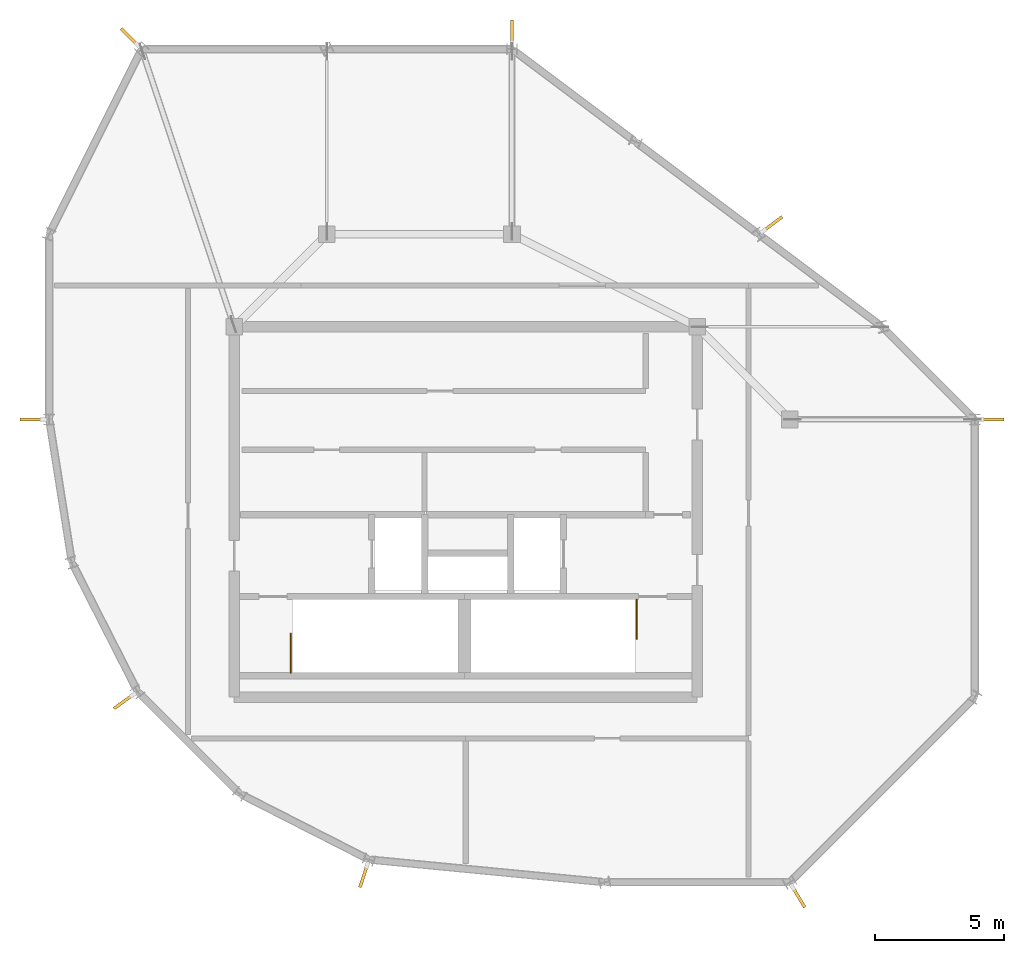
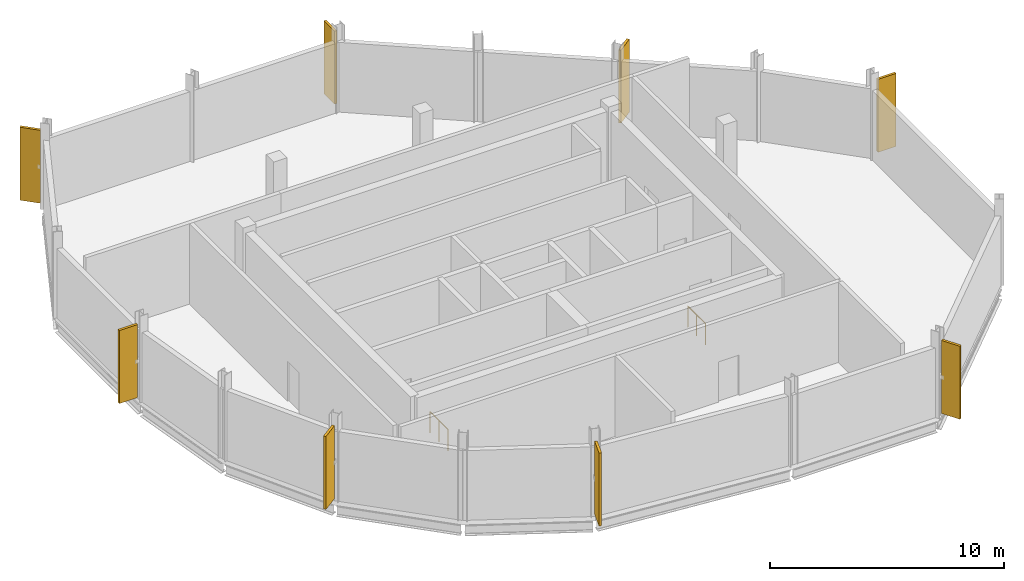
# One storey, part 4 of 4: 8 shading devices, 2 railings.
"""IFC4 building model written with IfcOpenShell, lengths in metres."""

from ifc_helpers import new_model, si_unit, direction, frame, origin, origin_2d, place, context, subcontext, project, spatial, rectangle, circle, extrude, material, type_object, element, save


model = new_model("IFC4")

# Units and contexts
model_context = context("Model", 3, precision=1e-05, world=origin(), true_north=direction((0.0, 1.0)))
body_context = subcontext(model_context, "Body", "Model", "MODEL_VIEW")
ifc_project = project(units=[si_unit("LENGTHUNIT", "METRE"), si_unit("AREAUNIT", "SQUARE_METRE"), si_unit("VOLUMEUNIT", "CUBIC_METRE"), si_unit("PLANEANGLEUNIT", "RADIAN"), si_unit("MASSUNIT", "GRAM", prefix="KILO")], contexts=[model_context])

# Site, building, storey
site_placement = place(None, origin())
site = spatial("IfcSite", under=ifc_project, at=site_placement, CompositionType="ELEMENT")
building_placement = place(site_placement, origin())
building = spatial("IfcBuilding", under=site, at=building_placement, Name="Solnavia Interchange Tower", CompositionType="ELEMENT")
storey_placement = place(building_placement, frame((0.0, 0.0, 322.199951171875)))
storey = spatial("IfcBuildingStorey", under=building, at=storey_placement, Name="C05", CompositionType="ELEMENT", Elevation=322.199951171875)

# Shading devices
ifc_material_1 = material(Name="Anodised Aluminium Fin", Category="aluminium")
shading_device_type = type_object("IfcShadingDeviceType", Name="CrownFin-Alu-900", PredefinedType="USERDEFINED", material=ifc_material_1)
for number, where, z_axis, x_axis, name in (
    (1, (43.8798828125, 21.60009765625, 0.2001953125), (0.0, 0.0, 1.0), (1.0, 0.0, 0.0), "FIN-C05-F01 Crown ring vertical aerofoil fin"),
    (2, (35.343994140625, 29.2080078125, 0.2001953125), (0.0, 0.0, 1.0), (0.799998928149, 0.600001429133, 0.0), "FIN-C05-F03 Crown ring vertical aerofoil fin"),
    (3, (25.199951171875, 36.679931640625, 0.2001953125), (0.0, 0.0, 1.0), (0.0, 1.0, 0.0), "FIN-C05-F05 Crown ring vertical aerofoil fin"),
    (4, (10.319091796875, 36.480712890625, 0.2001953125), (0.0, 0.0, 1.0), (-0.707106781187, 0.707106781187, 0.0), "FIN-C05-F07 Crown ring vertical aerofoil fin"),
    (5, (6.52001953125, 21.60009765625, 0.2001953125), (0.0, 0.0, 1.0), (-1.0, 0.0, 0.0), "FIN-C05-F09 Crown ring vertical aerofoil fin"),
    (6, (10.087890625, 10.620361328125, 0.2001953125), (0.0, 0.0, 1.0), (-0.809016994375, -0.587785252292, 0.0), "FIN-C05-F11 Crown ring vertical aerofoil fin"),
    (7, (19.427978515625, 3.834228515625, 0.2001953125), (0.0, 0.0, 1.0), (-0.309016994375, -0.951056516295, 0.0), "FIN-C05-F13 Crown ring vertical aerofoil fin"),
    (8, (36.349853515625, 3.016845703125, 0.2001953125), (0.0, 0.0, 1.0), (0.514439533782, -0.857526656194, 0.0), "FIN-C05-F15 Crown ring vertical aerofoil fin"),
):
    element("IfcShadingDevice", number, at=place(storey_placement, frame(where, z_axis=z_axis, x_axis=x_axis)), inside=storey, type_object=shading_device_type, Name=name, ObjectType="FIN", PredefinedType="USERDEFINED", context=body_context, shape_type="SweptSolid", body=[
        extrude(rectangle(XDim=0.89990234375, YDim=0.1201171875, at=origin_2d()), origin(), (0.0, 0.0, 1.0), 3.800048828125),
    ])

# Railings
ifc_material_2 = material(Name="Painted Steel Balustrade", Category="steel")
railing_type = type_object("IfcRailingType", Name="Railing-StairGuard-1100", PredefinedType="GUARDRAIL", material=ifc_material_2)
railing_1_placement = place(storey_placement, frame((16.60009765625, 11.75, 0.0)))
element("IfcRailing", 9, at=railing_1_placement, inside=storey, type_object=railing_type, Name="C05 ST-1 top well guard 1", PredefinedType="GUARDRAIL", context=body_context, shape_type="SweptSolid", body=[
    extrude(circle(Radius=0.02392578125, at=origin_2d()), frame((0.0, 0.0, 1.09619140625), z_axis=(0.0, 1.0, 0.0), x_axis=(-1.0, 0.0, 0.0)), (0.0, 0.0, 1.0), 1.52001953125),
    extrude(circle(Radius=0.02099609375, at=origin_2d()), origin(), (0.0, 0.0, 1.0), 1.072021484375),
    extrude(circle(Radius=0.02099609375, at=origin_2d()), frame((0.0, 0.760009765625, 0.0)), (0.0, 0.0, 1.0), 1.072021484375),
    extrude(circle(Radius=0.02099609375, at=origin_2d()), frame((0.0, 1.52001953125, 0.0)), (0.0, 0.0, 1.0), 1.072021484375),
])
railing_2_placement = place(storey_placement, frame((30.050048828125, 14.590087890625, 0.0)))
element("IfcRailing", 10, at=railing_2_placement, inside=storey, type_object=railing_type, Name="C05 ST-2 top well guard 1", PredefinedType="GUARDRAIL", context=body_context, shape_type="SweptSolid", body=[
    extrude(circle(Radius=0.02392578125, at=origin_2d()), frame((0.0, 0.0, 1.09619140625), z_axis=(0.0, -1.0, 0.0), x_axis=(1.0, 0.0, 0.0)), (0.0, 0.0, 1.0), 1.52001953125),
    extrude(circle(Radius=0.02099609375, at=origin_2d()), origin(), (0.0, 0.0, 1.0), 1.072021484375),
    extrude(circle(Radius=0.02099609375, at=origin_2d()), frame((0.0, -0.760009765625, 0.0)), (0.0, 0.0, 1.0), 1.072021484375),
    extrude(circle(Radius=0.02099609375, at=origin_2d()), frame((0.0, -1.52001953125, 0.0)), (0.0, 0.0, 1.0), 1.072021484375),
])

save(model, "model.ifc")
